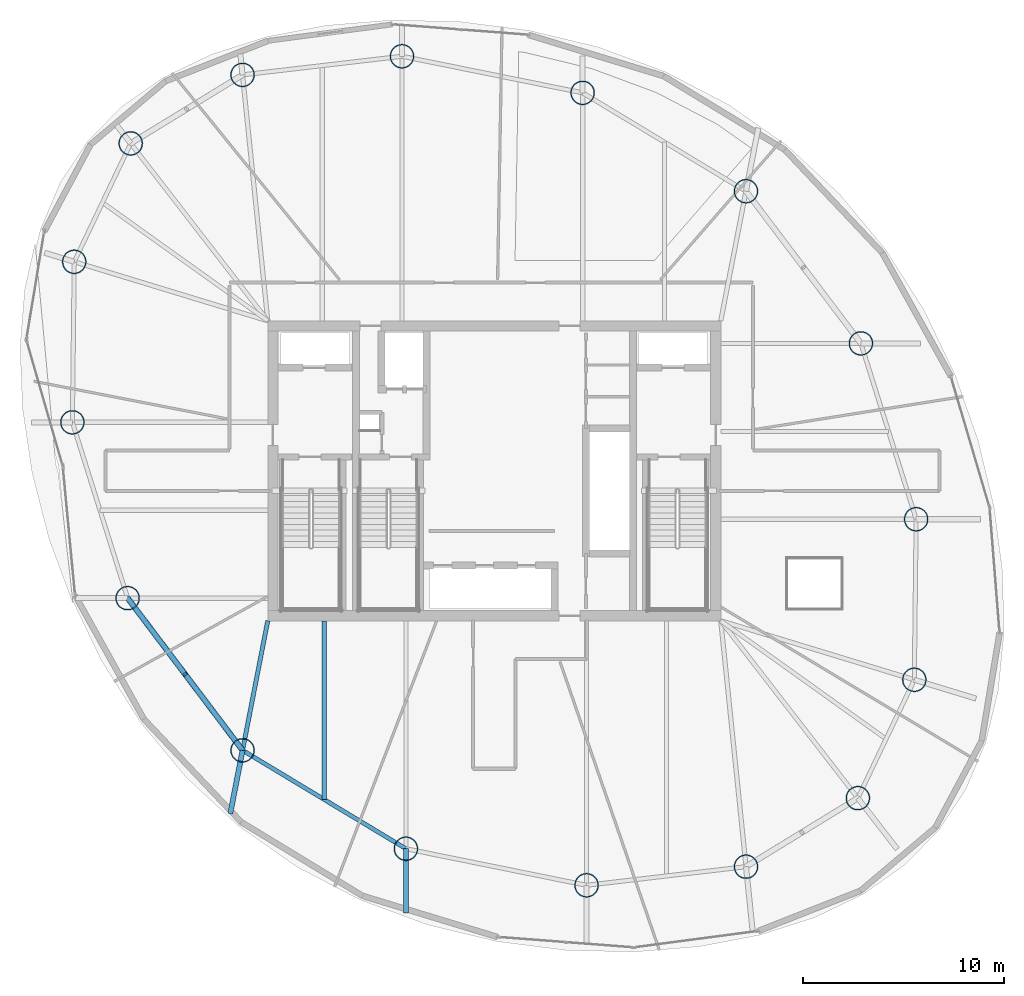
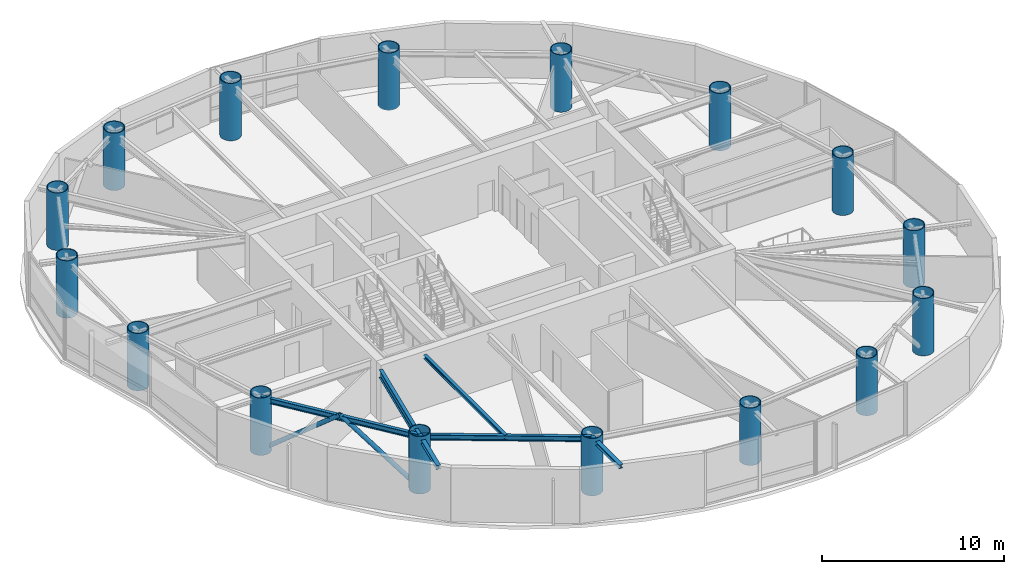
# One storey, part 1 of 21: 16 columns, 6 beams, 2 members.
"""IFC4 building model written with IfcOpenShell, lengths in metres."""

import ifcopenshell
import ifcopenshell.guid

model = None  # the IFC model being written
_history = None  # IfcOwnerHistory: only IFC2X3 demands one
_inside = {}  # id of a spatial element -> (the spatial element, [elements in it])
_under = {}  # id of a project, library or spatial element -> (it, [spatial elements below it])
_declared = {}  # id of a project -> (the project, [libraries it declares])
_typed = {}  # id of a type object -> (the type object, [elements of that type])
_made_of = {}  # id of a material, layer set ... -> (it, [elements and type objects made of it])


def new_model(schema):
    """Start an empty IFC model of exactly this schema.

    Asked for "IFC4X3", IfcOpenShell would pick the latest addendum, in which some entities
    have other attributes; the version numbers below select the first issue.
    IFC2X3 requires an IfcOwnerHistory on every rooted entity: one is made here for all.
    """
    global model, _history
    if schema == "IFC4X3":
        model = ifcopenshell.file(schema_version=(4, 3, 0, 0))
    else:
        model = ifcopenshell.file(schema=schema)
    _inside.clear()
    _under.clear()
    _declared.clear()
    _typed.clear()
    _made_of.clear()
    _history = None
    if model.schema == "IFC2X3":
        org = make("IfcOrganization", Name="unknown")
        user = make(
            "IfcPersonAndOrganization",
            ThePerson=make("IfcPerson", FamilyName="unknown"),
            TheOrganization=org,
        )
        app = make(
            "IfcApplication",
            ApplicationDeveloper=org,
            Version="unknown",
            ApplicationFullName="unknown",
            ApplicationIdentifier="unknown",
        )
        _history = make(
            "IfcOwnerHistory",
            OwningUser=user,
            OwningApplication=app,
            ChangeAction="ADDED",
            CreationDate=0,
        )
    return model


def make(cls, **values):
    """One entity of the class cls with the attributes given. An attribute that is None is left unset."""
    return model.create_entity(
        cls, **{name: value for name, value in values.items() if value is not None}
    )


def rooted(cls, **values):
    """An entity with a GlobalId (a new one), such as an element, a storey or a relation."""
    return make(cls, GlobalId=ifcopenshell.guid.new(), OwnerHistory=_history, **values)


def si_unit(unit_type, name, prefix=None):
    """IfcSIUnit, for example si_unit("LENGTHUNIT", "METRE", prefix="MILLI")."""
    return make("IfcSIUnit", UnitType=unit_type, Prefix=prefix, Name=name)


def assignment(units):
    """IfcUnitAssignment: the units of a project."""
    return None if units is None else make("IfcUnitAssignment", Units=units)


def point(xyz):
    """IfcCartesianPoint."""
    return None if xyz is None else make("IfcCartesianPoint", Coordinates=xyz)


def direction(xyz):
    """IfcDirection."""
    return None if xyz is None else make("IfcDirection", DirectionRatios=xyz)


def frame(location, z_axis=None, x_axis=None):
    """IfcAxis2Placement3D, a coordinate frame: its origin and axes. An axis left out is left unset."""
    return make(
        "IfcAxis2Placement3D",
        Location=point(location),
        Axis=direction(z_axis),
        RefDirection=direction(x_axis),
    )


def frame_2d(location, x_axis=None):
    """IfcAxis2Placement2D, a coordinate frame in the plane: its origin and x axis."""
    return make(
        "IfcAxis2Placement2D", Location=point(location), RefDirection=direction(x_axis)
    )


def origin():
    """The frame at (0, 0, 0) with its axes left unset."""
    return frame((0.0, 0.0, 0.0))


def origin_2d():
    """The frame at (0, 0) in the plane with its x axis left unset."""
    return frame_2d((0.0, 0.0))


def place(relative_to, where):
    """IfcLocalPlacement: puts the frame where relative to a parent placement (None: the world)."""
    return make(
        "IfcLocalPlacement", PlacementRelTo=relative_to, RelativePlacement=where
    )


def context(
    kind, dimensions, precision=None, world=None, true_north=None, identifier=None
):
    """IfcGeometricRepresentationContext, for example the 3D "Model" context."""
    return make(
        "IfcGeometricRepresentationContext",
        ContextIdentifier=identifier,
        ContextType=kind,
        CoordinateSpaceDimension=dimensions,
        Precision=precision,
        WorldCoordinateSystem=world,
        TrueNorth=true_north,
    )


def subcontext(parent, identifier, kind, view, scale=None):
    """IfcGeometricRepresentationSubContext, for example "Body" below "Model"."""
    return make(
        "IfcGeometricRepresentationSubContext",
        ContextIdentifier=identifier,
        ContextType=kind,
        ParentContext=parent,
        TargetScale=scale,
        TargetView=view,
    )


def project(units=None, contexts=None):
    """IfcProject with its units and contexts."""
    return rooted(
        "IfcProject",
        Name="project",
        RepresentationContexts=contexts,
        UnitsInContext=assignment(units),
    )


def spatial(cls, under=None, at=None, **own):
    """A site, building, storey or space (cls), placed at a placement, below another one or the project."""
    s = rooted(cls, ObjectPlacement=at, **own)
    if under is not None:
        _under.setdefault(under.id(), (under, []))[1].append(s)
    return s


def profile(cls, at=None, kind="AREA", **sizes):
    """A parametric profile (cls). Its sizes go by their IFC names, for example OverallWidth=200.0."""
    return make(cls, ProfileType=kind, Position=at, **sizes)


def hollow_circle(**sizes):
    """IfcCircleHollowProfileDef."""
    return profile("IfcCircleHollowProfileDef", **sizes)


def i_section(**sizes):
    """IfcIShapeProfileDef."""
    return profile("IfcIShapeProfileDef", **sizes)


def extrude(swept, where, along, depth):
    """IfcExtrudedAreaSolid: the profile swept, set in the frame where, extruded along a direction by depth."""
    return make(
        "IfcExtrudedAreaSolid",
        SweptArea=swept,
        Position=where,
        ExtrudedDirection=direction(along),
        Depth=depth,
    )


def shape(context_of_items, identifier, shape_type, items):
    """IfcShapeRepresentation: the items that make up one representation, for example the "Body"."""
    return make(
        "IfcShapeRepresentation",
        ContextOfItems=context_of_items,
        RepresentationIdentifier=identifier,
        RepresentationType=shape_type,
        Items=items,
    )


def material(Name=None, Category=None):
    """IfcMaterial."""
    return make("IfcMaterial", Name=Name, Category=Category)


def material_profile(
    of_material, cross_section, Name=None, Category=None, Priority=None
):
    """IfcMaterialProfile: a cross section and its material."""
    return make(
        "IfcMaterialProfile",
        Name=Name,
        Material=of_material,
        Profile=cross_section,
        Priority=Priority,
        Category=Category,
    )


def profile_set(profiles, Name=None, composite=None):
    """IfcMaterialProfileSet."""
    return make(
        "IfcMaterialProfileSet",
        Name=Name,
        MaterialProfiles=profiles,
        CompositeProfile=composite,
    )


def made_of(thing, what):
    """Note that an element or type object is made of a material, layer set ...; save() writes the relation."""
    if what is not None:
        _made_of.setdefault(what.id(), (what, []))[1].append(thing)
    return thing


def type_object(cls, material=None, **own):
    """A type object (cls), such as IfcWallType, which elements share."""
    return made_of(rooted(cls, **own), material)


def element(
    cls,
    number,
    at=None,
    inside=None,
    cuts=None,
    type_object=None,
    material=None,
    context=None,
    identifier="Body",
    shape_type=None,
    held_by="IfcProductDefinitionShape",
    body=None,
    shapes=None,
    **own,
):
    """One element of the class cls, such as IfcWall. Its Tag is "e" and its number.

    at: its placement. inside: the storey or other place that contains it. cuts: it is an
    opening in that element (IfcRelVoidsElement). A single representation is given by context,
    identifier, shape_type and body (its items); several are given by shapes. held_by: the class
    of the entity that holds the representations. save() writes the other relations.
    """
    e = rooted(cls, Tag="e%d" % number, ObjectPlacement=at, **own)
    if body is not None:
        shapes = [shape(context, identifier, shape_type, body)]
    if shapes is not None:
        e.Representation = make(held_by, Representations=shapes)
    if inside is not None:
        _inside.setdefault(inside.id(), (inside, []))[1].append(e)
    if cuts is not None:
        rooted(
            "IfcRelVoidsElement", RelatingBuildingElement=cuts, RelatedOpeningElement=e
        )
    if type_object is not None:
        _typed.setdefault(type_object.id(), (type_object, []))[1].append(e)
    return made_of(e, material)


def aggregate(whole, parts):
    """IfcRelAggregates: a whole, such as a stair, and the parts it consists of."""
    return rooted("IfcRelAggregates", RelatingObject=whole, RelatedObjects=parts)


def save(model, path):
    """Write the relations noted so far, then the file.

    IfcRelAggregates (storeys below a building ...), IfcRelContainedInSpatialStructure (elements
    in a storey), IfcRelDefinesByType, IfcRelAssociatesMaterial and IfcRelDeclares: one each for
    every whole, place, type object, material and project.
    """
    for whole, parts in _under.values():
        aggregate(whole, parts)
    for where, things in _inside.values():
        rooted(
            "IfcRelContainedInSpatialStructure",
            RelatedElements=things,
            RelatingStructure=where,
        )
    for kind, things in _typed.values():
        rooted("IfcRelDefinesByType", RelatedObjects=things, RelatingType=kind)
    for what, things in _made_of.values():
        rooted("IfcRelAssociatesMaterial", RelatedObjects=things, RelatingMaterial=what)
    for by, libraries in _declared.values():
        rooted("IfcRelDeclares", RelatingContext=by, RelatedDefinitions=libraries)
    model.write(path)


model = new_model("IFC4")

# Units and contexts
model_context = context("Model", 3, precision=1e-05, world=origin(), true_north=direction((0.0, 1.0)))
body_context = subcontext(model_context, "Body", "Model", "MODEL_VIEW")
ifc_project = project(units=[si_unit("LENGTHUNIT", "METRE"), si_unit("AREAUNIT", "SQUARE_METRE"), si_unit("VOLUMEUNIT", "CUBIC_METRE"), si_unit("PLANEANGLEUNIT", "RADIAN"), si_unit("MASSUNIT", "GRAM", prefix="KILO")], contexts=[model_context])

# Site, building, storey
site_placement = place(None, origin())
site = spatial("IfcSite", under=ifc_project, at=site_placement, CompositionType="ELEMENT")
building_placement = place(site_placement, origin())
building = spatial("IfcBuilding", under=site, at=building_placement, Name="Bramvorn Convention Spire", CompositionType="ELEMENT")
storey_placement = place(building_placement, frame((0.0, 0.0, 186.60009765625)))
storey = spatial("IfcBuildingStorey", under=building, at=storey_placement, Name="L47", CompositionType="ELEMENT", Elevation=186.60009765625)

# Columns
ifc_material = material(Name="Steel CSA G40.21 Grade 350 (350W)", Category="steel")
ifc_material_profile_1 = material_profile(ifc_material, hollow_circle(Radius=0.60009765625, WallThickness=0.050048828125, at=origin_2d()))
ifc_profile_set_1 = profile_set([ifc_material_profile_1], Name="Steel CSA G40.21 Grade 350 (350W) - CFT1200X50")
column_type = type_object("IfcColumnType", Name="COL-CFT1200X50", PredefinedType="COLUMN", material=ifc_profile_set_1)
for number, where, z_axis, x_axis, name in (
    (1, (56.058349609375, 9.739990234375, 0.0), (0.0, 0.0, 1.0), (1.0, 0.0, 0.0), "L47 composite CFT mega-column MC01"),
    (2, (58.863037109375, 15.619384765625, 0.0), (0.0, 0.0, 1.0), (1.0, 0.0, 0.0), "L47 composite CFT mega-column MC02"),
    (3, (58.95458984375, 23.593505859375, 0.0), (0.0, 0.0, 1.0), (1.0, 0.0, 0.0), "L47 composite CFT mega-column MC03"),
    (4, (56.21044921875, 32.327392578125, 0.0), (0.0, 0.0, 1.0), (1.0, 0.0, 0.0), "L47 composite CFT mega-column MC04"),
    (5, (50.501953125, 39.885009765625, 0.0), (0.0, 0.0, 1.0), (1.0, 0.0, 0.0), "L47 composite CFT mega-column MC05"),
    (6, (42.38916015625, 44.772216796875, 0.0), (0.0, 0.0, 1.0), (1.0, 0.0, 0.0), "L47 composite CFT mega-column MC06"),
    (7, (33.416259765625, 46.58837890625, 0.0), (0.0, 0.0, 1.0), (1.0, 0.0, 0.0), "L47 composite CFT mega-column MC07"),
    (8, (25.49560546875, 45.663818359375, 0.0), (0.0, 0.0, 1.0), (1.0, 0.0, 0.0), "L47 composite CFT mega-column MC08"),
    (9, (19.941650390625, 42.260009765625, 0.0), (0.0, 0.0, 1.0), (1.0, 0.0, 0.0), "L47 composite CFT mega-column MC09"),
    (10, (17.136962890625, 36.380615234375, 0.0), (0.0, 0.0, 1.0), (1.0, 0.0, 0.0), "L47 composite CFT mega-column MC10"),
    (11, (17.04541015625, 28.406494140625, 0.0), (0.0, 0.0, 1.0), (1.0, 0.0, 0.0), "L47 composite CFT mega-column MC11"),
    (12, (19.78955078125, 19.672607421875, 0.0), (0.0, 0.0, 1.0), (1.0, 0.0, 0.0), "L47 composite CFT mega-column MC12"),
    (13, (25.498046875, 12.114990234375, 0.0), (0.0, 0.0, 1.0), (1.0, 0.0, 0.0), "L47 composite CFT mega-column MC13"),
    (14, (33.61083984375, 7.227783203125, 0.0), (0.0, 0.0, 1.0), (1.0, 0.0, 0.0), "L47 composite CFT mega-column MC14"),
    (15, (42.583740234375, 5.41162109375, 0.0), (0.0, 0.0, 1.0), (1.0, 0.0, 0.0), "L47 composite CFT mega-column MC15"),
    (16, (50.50439453125, 6.336181640625, 0.0), (0.0, 0.0, 1.0), (1.0, 0.0, 0.0), "L47 composite CFT mega-column MC16"),
):
    element("IfcColumn", number, at=place(storey_placement, frame(where, z_axis=z_axis, x_axis=x_axis)), inside=storey, type_object=column_type, Name=name, PredefinedType="COLUMN", context=body_context, shape_type="SweptSolid", body=[
        extrude(hollow_circle(Radius=0.60009765625, WallThickness=0.050048828125, at=origin_2d()), origin(), (0.0, 0.0, 1.0), 3.849853515625),
    ])

# Beams
ifc_material_profile_2 = material_profile(ifc_material, i_section(OverallWidth=0.201904296875, OverallDepth=0.2470703125, WebThickness=0.00732421875, FlangeThickness=0.010986328125, FilletRadius=0.011962890625, at=origin_2d()))
ifc_profile_set_2 = profile_set([ifc_material_profile_2], Name="Steel CSA G40.21 Grade 350 (350W) - W250X49")
beam_type_1 = type_object("IfcBeamType", Name="BM-W250X49", PredefinedType="JOIST", material=ifc_profile_set_2)
beam_1_placement = place(storey_placement, frame((29.554443359375, 18.550048828125, 3.496337890625), z_axis=(0.0, -1.0, 0.0), x_axis=(1.0, 0.0, 0.0)))
element("IfcBeam", 17, at=beam_1_placement, inside=storey, type_object=beam_type_1, Name="L47 composite floor joist 13", PredefinedType="JOIST", context=body_context, shape_type="SweptSolid", body=[
    extrude(i_section(OverallWidth=0.201904296875, OverallDepth=0.2470703125, WebThickness=0.00732421875, FlangeThickness=0.010986328125, FilletRadius=0.011962890625, at=origin_2d()), origin(), (0.0, 0.0, 1.0), 8.878662109375),
])
ifc_material_profile_3 = material_profile(ifc_material, i_section(OverallWidth=0.25390625, OverallDepth=0.2529296875, WebThickness=0.008544921875, FlangeThickness=0.01416015625, FilletRadius=0.011962890625, at=origin_2d()))
ifc_profile_set_3 = profile_set([ifc_material_profile_3], Name="Steel CSA G40.21 Grade 350 (350W) - W250X73")
beam_type_2 = type_object("IfcBeamType", Name="BM-W250X73", PredefinedType="BEAM", material=ifc_profile_set_3)
beam_2_placement = place(storey_placement, frame((25.498046875, 12.114990234375, 3.493408203125), z_axis=(-0.190977895588, -0.981594337492, 0.0), x_axis=(0.981594337492, -0.190977895588, 0.0)))
element("IfcBeam", 18, at=beam_2_placement, inside=storey, type_object=beam_type_2, Name="L47 slab-edge cantilever tip beam MC13", PredefinedType="BEAM", context=body_context, shape_type="SweptSolid", body=[
    extrude(i_section(OverallWidth=0.25390625, OverallDepth=0.2529296875, WebThickness=0.008544921875, FlangeThickness=0.01416015625, FilletRadius=0.011962890625, at=origin_2d()), origin(), (0.0, 0.0, 1.0), 3.19970703125),
])
beam_3_placement = place(storey_placement, frame((33.61083984375, 7.227783203125, 3.493408203125), z_axis=(0.0, -1.0, 0.0), x_axis=(1.0, 0.0, 0.0)))
element("IfcBeam", 19, at=beam_3_placement, inside=storey, type_object=beam_type_2, Name="L47 slab-edge cantilever tip beam MC14", PredefinedType="BEAM", context=body_context, shape_type="SweptSolid", body=[
    extrude(i_section(OverallWidth=0.25390625, OverallDepth=0.2529296875, WebThickness=0.008544921875, FlangeThickness=0.01416015625, FilletRadius=0.011962890625, at=origin_2d()), origin(), (0.0, 0.0, 1.0), 3.199951171875),
])
ifc_material_profile_4 = material_profile(ifc_material, i_section(OverallWidth=0.205078125, OverallDepth=0.35400390625, WebThickness=0.009521484375, FlangeThickness=0.016845703125, FilletRadius=0.014892578125, at=origin_2d()))
ifc_profile_set_4 = profile_set([ifc_material_profile_4], Name="Steel CSA G40.21 Grade 350 (350W) - W360X79")
beam_type_3 = type_object("IfcBeamType", Name="BM-W360X79", PredefinedType="JOIST", material=ifc_profile_set_4)
for number, where, z_axis, x_axis, name in (
    (20, (19.78955078125, 19.672607421875, 3.44287109375), (0.602718581414, -0.797953827999, 0.0), (0.797953827999, 0.602718581414, 0.0), "L47 mega-column ring beam 12"),
    (21, (25.498046875, 12.114990234375, 3.44287109375), (0.856581795745, -0.516011266543, 0.0), (0.516011266543, 0.856581795745, 0.0), "L47 mega-column ring beam 13"),
):
    element("IfcBeam", number, at=place(storey_placement, frame(where, z_axis=z_axis, x_axis=x_axis)), inside=storey, type_object=beam_type_3, Name=name, PredefinedType="JOIST", context=body_context, shape_type="SweptSolid", body=[
        extrude(i_section(OverallWidth=0.205078125, OverallDepth=0.35400390625, WebThickness=0.009521484375, FlangeThickness=0.016845703125, FilletRadius=0.014892578125, at=origin_2d()), origin(), (0.0, 0.0, 1.0), 9.47119140625),
    ])
ifc_material_profile_5 = material_profile(ifc_material, i_section(OverallWidth=0.2119140625, OverallDepth=0.5439453125, WebThickness=0.01318359375, FlangeThickness=0.021240234375, FilletRadius=0.01904296875, at=origin_2d()))
ifc_profile_set_5 = profile_set([ifc_material_profile_5], Name="Steel CSA G40.21 Grade 350 (350W) - W530X123")
beam_type_4 = type_object("IfcBeamType", Name="BM-W530X123", PredefinedType="BEAM", material=ifc_profile_set_5)
beam_4_placement = place(storey_placement, frame((26.75, 18.550048828125, 3.347900390625), z_axis=(-0.190971329886, -0.981595614885, 0.0), x_axis=(0.981595614885, -0.190971329886, 0.0)))
element("IfcBeam", 22, at=beam_4_placement, inside=storey, type_object=beam_type_4, Name="L47 radial floor girder MC13", PredefinedType="BEAM", context=body_context, shape_type="SweptSolid", body=[
    extrude(i_section(OverallWidth=0.2119140625, OverallDepth=0.5439453125, WebThickness=0.01318359375, FlangeThickness=0.021240234375, FilletRadius=0.01904296875, at=origin_2d()), origin(), (0.0, 0.0, 1.0), 6.5556640625),
])

# Members
ifc_material_profile_6 = material_profile(ifc_material, hollow_circle(Radius=0.136474609375, WallThickness=0.0126953125, at=origin_2d()))
ifc_profile_set_6 = profile_set([ifc_material_profile_6], Name="Steel CSA G40.21 Grade 350 (350W) - CHS273X13")
member_type = type_object("IfcMemberType", Name="MBR-CHS273X13", PredefinedType="BRACE", material=ifc_profile_set_6)
for number, where, z_axis, x_axis, name in (
    (23, (19.78955078125, 19.672607421875, 0.0), (0.478846711924, -0.633956839206, 0.607292806235), (0.797953827999, 0.602718581414, 0.0), "L47 perimeter Gothic lancet brace 12A"),
    (24, (25.498046875, 12.114990234375, 0.0), (-0.478846711924, 0.633956839206, 0.607292806235), (-0.797953827999, -0.602718581414, 0.0), "L47 perimeter Gothic lancet brace 12B"),
):
    element("IfcMember", number, at=place(storey_placement, frame(where, z_axis=z_axis, x_axis=x_axis)), inside=storey, type_object=member_type, Name=name, PredefinedType="BRACE", context=body_context, shape_type="SweptSolid", body=[
        extrude(hollow_circle(Radius=0.136474609375, WallThickness=0.0126953125, at=origin_2d()), origin(), (0.0, 0.0, 1.0), 5.960693359375),
    ])

save(model, "model.ifc")
